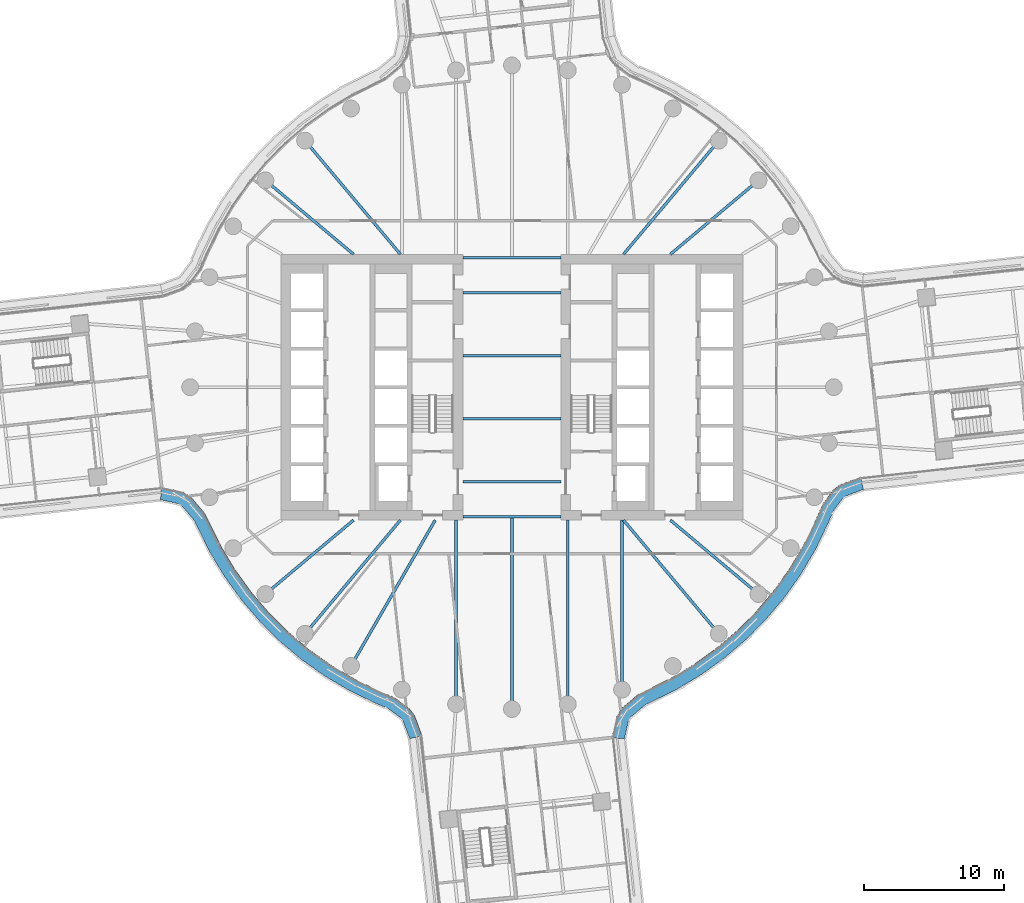
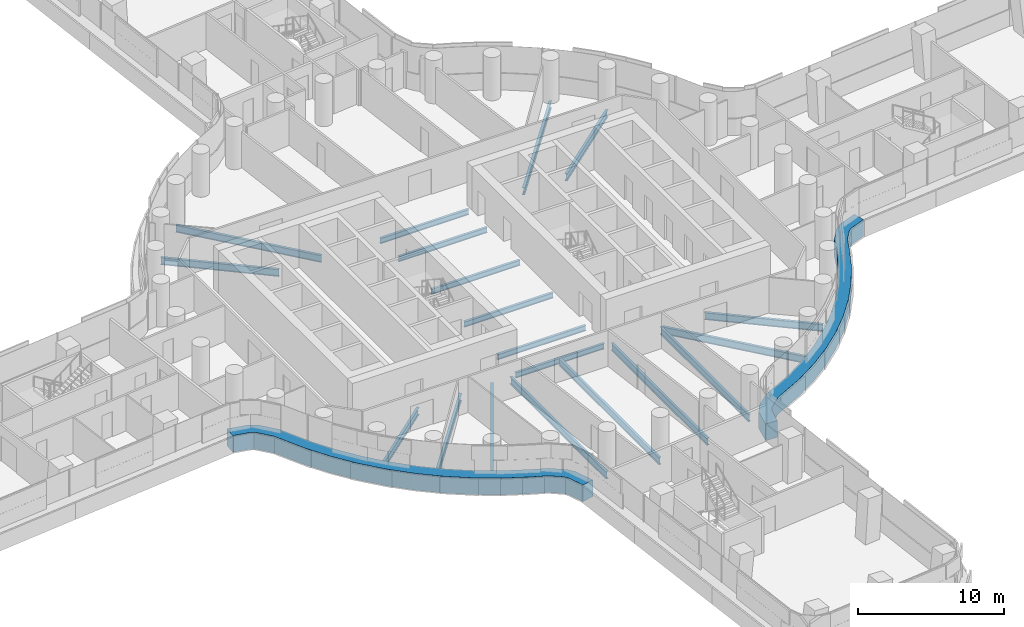
# One storey, part 8 of 31: 19 beams, 2 members, 2 elements without a shape of their own.
"""IFC4 building model written with IfcOpenShell, lengths in metres."""

from ifc_helpers import new_model, si_unit, direction, frame, origin, origin_2d, place, context, subcontext, project, spatial, polyline, i_section, outline, extrude, material, layer, layer_set, material_profile, profile_set, type_object, element, aggregate, save


model = new_model("IFC4")

# Units and contexts
model_context = context("Model", 3, precision=1e-05, world=origin(), true_north=direction((0.0, 1.0)))
body_context = subcontext(model_context, "Body", "Model", "MODEL_VIEW")
ifc_project = project(units=[si_unit("LENGTHUNIT", "METRE"), si_unit("AREAUNIT", "SQUARE_METRE"), si_unit("VOLUMEUNIT", "CUBIC_METRE"), si_unit("PLANEANGLEUNIT", "RADIAN"), si_unit("MASSUNIT", "GRAM", prefix="KILO")], contexts=[model_context])

# Site, building, storey
site_placement = place(None, origin())
site = spatial("IfcSite", under=ifc_project, at=site_placement, CompositionType="ELEMENT")
building_placement = place(site_placement, origin())
building = spatial("IfcBuilding", under=site, at=building_placement, Name="Tamarind Cross Interchange Tower", CompositionType="ELEMENT")
storey_placement = place(building_placement, frame((0.0, 0.0, 56.5)))
storey = spatial("IfcBuildingStorey", under=building, at=storey_placement, Name="L12", CompositionType="ELEMENT", Elevation=56.5)

# Beams
ifc_material_1 = material(Name="Steel Q355B", Category="steel")
ifc_material_profile_1 = material_profile(ifc_material_1, i_section(OverallWidth=0.198974609375, OverallDepth=0.446044921875, WebThickness=0.008056640625, FlangeThickness=0.011962890625, FilletRadius=0.012939453125, at=origin_2d()), Name="HN 446x199x8x12")
ifc_profile_set_1 = profile_set([ifc_material_profile_1], Name="Steel Q355B")
beam_type_1 = type_object("IfcBeamType", Name="Composite beam HN 446x199x8x12 Q355B", PredefinedType="BEAM", material=ifc_profile_set_1)
for number, where, z_axis, x_axis, name in (
    (1, (-3.5, -2.25, -0.363037109375), (1.0, 0.0, 0.0), (0.0, 1.0, 0.0), "Beam G-2.25"),
    (2, (-3.5, -6.75, -0.363037109375), (1.0, 0.0, 0.0), (0.0, 1.0, 0.0), "Beam G-6.75"),
    (3, (-3.5, -9.25, -0.363037109375), (1.0, 0.0, 0.0), (0.0, 1.0, 0.0), "Beam G-9.25"),
    (4, (-3.5, 2.25, -0.363037109375), (1.0, 0.0, 0.0), (0.0, 1.0, 0.0), "Beam G2.25"),
    (5, (-3.5, 6.75, -0.363037109375), (1.0, 0.0, 0.0), (0.0, 1.0, 0.0), "Beam G6.75"),
    (6, (-3.5, 9.25, -0.363037109375), (1.0, 0.0, 0.0), (0.0, 1.0, 0.0), "Beam G9.25"),
):
    element("IfcBeam", number, at=place(storey_placement, frame(where, z_axis=z_axis, x_axis=x_axis)), inside=storey, type_object=beam_type_1, Name=name, PredefinedType="BEAM", context=body_context, shape_type="SweptSolid", body=[
        extrude(i_section(OverallWidth=0.198974609375, OverallDepth=0.446044921875, WebThickness=0.008056640625, FlangeThickness=0.011962890625, FilletRadius=0.012939453125, at=origin_2d()), origin(), (0.0, 0.0, 1.0), 7.0),
    ])
ifc_material_profile_2 = material_profile(ifc_material_1, i_section(OverallWidth=0.198974609375, OverallDepth=0.595947265625, WebThickness=0.010009765625, FlangeThickness=0.014892578125, FilletRadius=0.012939453125, at=origin_2d()), Name="HN 596x199x10x15")
ifc_profile_set_2 = profile_set([ifc_material_profile_2], Name="Steel Q355B")
beam_type_2 = type_object("IfcBeamType", Name="Composite beam HN 596x199x10x15 Q355B", PredefinedType="BEAM", material=ifc_profile_set_2)
beam_1_placement = place(storey_placement, frame((17.619140625, 14.7841796875, -0.43798828125), z_axis=(-0.766040580814, -0.642792212574, 0.0), x_axis=(0.642792212574, -0.766040580814, 0.0)))
element("IfcBeam", 7, at=beam_1_placement, inside=storey, type_object=beam_type_2, Name="Beam HH04", PredefinedType="BEAM", context=body_context, shape_type="SweptSolid", body=[
    extrude(i_section(OverallWidth=0.198974609375, OverallDepth=0.595947265625, WebThickness=0.010009765625, FlangeThickness=0.014892578125, FilletRadius=0.012939453125, at=origin_2d()), origin(), (0.0, 0.0, 1.0), 8.220703125),
])
for number, where, z_axis, x_axis, name in (
    (8, (14.7841796875, 17.619140625, -0.43798828125), (-0.642786293979, -0.766045547127, 0.0), (0.766045547127, -0.642786293979, 0.0), "Beam HH05"),
    (9, (-14.7841796875, 17.619140625, -0.43798828125), (0.642786293979, -0.766045547127, 0.0), (0.766045547127, 0.642786293979, 0.0), "Beam HH13"),
):
    element("IfcBeam", number, at=place(storey_placement, frame(where, z_axis=z_axis, x_axis=x_axis)), inside=storey, type_object=beam_type_2, Name=name, PredefinedType="BEAM", context=body_context, shape_type="SweptSolid", body=[
        extrude(i_section(OverallWidth=0.198974609375, OverallDepth=0.595947265625, WebThickness=0.010009765625, FlangeThickness=0.014892578125, FilletRadius=0.012939453125, at=origin_2d()), origin(), (0.0, 0.0, 1.0), 10.598876953125),
    ])
for number, where, z_axis, x_axis, name in (
    (10, (-17.619140625, 14.7841796875, -0.43798828125), (0.766040580814, -0.642792212574, 0.0), (0.642792212574, 0.766040580814, 0.0), "Beam HH14"),
    (11, (-17.619140625, -14.7841796875, -0.43798828125), (0.766040580814, 0.642792212574, 0.0), (-0.642792212574, 0.766040580814, 0.0), "Beam HH22"),
):
    element("IfcBeam", number, at=place(storey_placement, frame(where, z_axis=z_axis, x_axis=x_axis)), inside=storey, type_object=beam_type_2, Name=name, PredefinedType="BEAM", context=body_context, shape_type="SweptSolid", body=[
        extrude(i_section(OverallWidth=0.198974609375, OverallDepth=0.595947265625, WebThickness=0.010009765625, FlangeThickness=0.014892578125, FilletRadius=0.012939453125, at=origin_2d()), origin(), (0.0, 0.0, 1.0), 8.220703125),
    ])
beam_2_placement = place(storey_placement, frame((-14.7841796875, -17.619140625, -0.43798828125), z_axis=(0.642786293979, 0.766045547127, 0.0), x_axis=(-0.766045547127, 0.642786293979, 0.0)))
element("IfcBeam", 12, at=beam_2_placement, inside=storey, type_object=beam_type_2, Name="Beam HH23", PredefinedType="BEAM", context=body_context, shape_type="SweptSolid", body=[
    extrude(i_section(OverallWidth=0.198974609375, OverallDepth=0.595947265625, WebThickness=0.010009765625, FlangeThickness=0.014892578125, FilletRadius=0.012939453125, at=origin_2d()), origin(), (0.0, 0.0, 1.0), 10.598876953125),
])
beam_3_placement = place(storey_placement, frame((-11.5, -19.918701171875, -0.43798828125), z_axis=(0.499993565836, 0.866029118519, 0.0), x_axis=(-0.866029118519, 0.499993565836, 0.0)))
element("IfcBeam", 13, at=beam_3_placement, inside=storey, type_object=beam_type_2, Name="Beam HH24", PredefinedType="BEAM", context=body_context, shape_type="SweptSolid", body=[
    extrude(i_section(OverallWidth=0.198974609375, OverallDepth=0.595947265625, WebThickness=0.010009765625, FlangeThickness=0.014892578125, FilletRadius=0.012939453125, at=origin_2d()), origin(), (0.0, 0.0, 1.0), 12.030517578125),
])
beam_4_placement = place(storey_placement, frame((-3.993896484375, -22.650634765625, -0.43798828125), z_axis=(0.0, 1.0, 0.0), x_axis=(-1.0, 0.0, 0.0)))
element("IfcBeam", 14, at=beam_4_placement, inside=storey, type_object=beam_type_2, Name="Beam HH26", PredefinedType="BEAM", context=body_context, shape_type="SweptSolid", body=[
    extrude(i_section(OverallWidth=0.198974609375, OverallDepth=0.595947265625, WebThickness=0.010009765625, FlangeThickness=0.014892578125, FilletRadius=0.012939453125, at=origin_2d()), origin(), (0.0, 0.0, 1.0), 13.150634765625),
])
beam_5_placement = place(storey_placement, frame((0.0, -23.0, -0.43798828125), z_axis=(0.0, 1.0, 0.0), x_axis=(-1.0, 0.0, 0.0)))
element("IfcBeam", 15, at=beam_5_placement, inside=storey, type_object=beam_type_2, Name="Beam HH27", PredefinedType="BEAM", context=body_context, shape_type="SweptSolid", body=[
    extrude(i_section(OverallWidth=0.198974609375, OverallDepth=0.595947265625, WebThickness=0.010009765625, FlangeThickness=0.014892578125, FilletRadius=0.012939453125, at=origin_2d()), origin(), (0.0, 0.0, 1.0), 13.75),
])
beam_6_placement = place(storey_placement, frame((3.993896484375, -22.650634765625, -0.43798828125), z_axis=(0.0, 1.0, 0.0), x_axis=(-1.0, 0.0, 0.0)))
element("IfcBeam", 16, at=beam_6_placement, inside=storey, type_object=beam_type_2, Name="Beam HH28", PredefinedType="BEAM", context=body_context, shape_type="SweptSolid", body=[
    extrude(i_section(OverallWidth=0.198974609375, OverallDepth=0.595947265625, WebThickness=0.010009765625, FlangeThickness=0.014892578125, FilletRadius=0.012939453125, at=origin_2d()), origin(), (0.0, 0.0, 1.0), 13.150634765625),
])
beam_7_placement = place(storey_placement, frame((7.866455078125, -21.613037109375, -0.43798828125), z_axis=(0.0, 1.0, 0.0), x_axis=(-1.0, 0.0, 0.0)))
element("IfcBeam", 17, at=beam_7_placement, inside=storey, type_object=beam_type_2, Name="Beam HH29", PredefinedType="BEAM", context=body_context, shape_type="SweptSolid", body=[
    extrude(i_section(OverallWidth=0.198974609375, OverallDepth=0.595947265625, WebThickness=0.010009765625, FlangeThickness=0.014892578125, FilletRadius=0.012939453125, at=origin_2d()), origin(), (0.0, 0.0, 1.0), 12.113037109375),
])
beam_8_placement = place(storey_placement, frame((14.7841796875, -17.619140625, -0.43798828125), z_axis=(-0.642786293979, 0.766045547127, 0.0), x_axis=(-0.766045547127, -0.642786293979, 0.0)))
element("IfcBeam", 18, at=beam_8_placement, inside=storey, type_object=beam_type_2, Name="Beam HH31", PredefinedType="BEAM", context=body_context, shape_type="SweptSolid", body=[
    extrude(i_section(OverallWidth=0.198974609375, OverallDepth=0.595947265625, WebThickness=0.010009765625, FlangeThickness=0.014892578125, FilletRadius=0.012939453125, at=origin_2d()), origin(), (0.0, 0.0, 1.0), 10.598876953125),
])
beam_9_placement = place(storey_placement, frame((17.619140625, -14.7841796875, -0.43798828125), z_axis=(-0.766040580814, 0.642792212574, 0.0), x_axis=(-0.642792212574, -0.766040580814, 0.0)))
element("IfcBeam", 19, at=beam_9_placement, inside=storey, type_object=beam_type_2, Name="Beam HH32", PredefinedType="BEAM", context=body_context, shape_type="SweptSolid", body=[
    extrude(i_section(OverallWidth=0.198974609375, OverallDepth=0.595947265625, WebThickness=0.010009765625, FlangeThickness=0.014892578125, FilletRadius=0.012939453125, at=origin_2d()), origin(), (0.0, 0.0, 1.0), 8.220703125),
])

# Curtain wall, member
ifc_material_2 = material(Name="Aluminium 6063-T6", Category="aluminium")
ifc_layer = layer(ifc_material_2, 0.159912109375)
ifc_layer_set = layer_set([ifc_layer], Name="Aluminium 6063-T6")
curtain_wall_type = type_object("IfcCurtainWallType", Name="Office curtain wall, 9.0 m bays", PredefinedType="NOTDEFINED", material=ifc_layer_set)
curtain_wall_1_placement = place(storey_placement, origin())
curtain_wall_1 = element("IfcCurtainWall", 20, at=curtain_wall_1_placement, inside=storey, type_object=curtain_wall_type, Name="CWS-L12-10", PredefinedType="NOTDEFINED")
ifc_material_3 = material(Name="Aluminium and insulated spandrel panel", Category="aluminium")
member_type = type_object("IfcMemberType", Name="Floor-edge blade transom", PredefinedType="USERDEFINED", material=ifc_material_3)
member_1_placement = place(storey_placement, origin())
member_1 = element("IfcMember", 21, at=member_1_placement, type_object=member_type, Name="CWT-L12-10", ObjectType="TRANSOM", PredefinedType="USERDEFINED", context=body_context, shape_type="SweptSolid", body=[
    extrude(outline(polyline([(-25.061279296875, -7.129638671875), (-23.565185546875, -7.46044921875), (-22.94580078125, -7.835693359375), (-21.968994140625, -8.99755859375), (-21.664794921875, -9.599365234375), (-20.791015625, -11.367431640625), (-19.78125, -13.045654296875), (-18.636474609375, -14.634521484375), (-17.3642578125, -16.12353515625), (-15.973388671875, -17.50244140625), (-14.4736328125, -18.76171875), (-12.874755859375, -19.892822265625), (-11.188232421875, -20.88818359375), (-9.419921875, -21.7431640625), (-8.36083984375, -22.19677734375), (-7.3369140625, -22.966064453125), (-6.96337890625, -23.453125), (-6.420654296875, -24.9091796875), (-7.30322265625, -25.11865234375), (-7.759765625, -23.893798828125), (-7.976318359375, -23.611572265625), (-8.81494140625, -22.9814453125), (-9.793212890625, -22.562255859375), (-11.613525390625, -21.68212890625), (-13.3642578125, -20.64892578125), (-15.023681640625, -19.474853515625), (-16.580810546875, -18.167724609375), (-18.0244140625, -16.736572265625), (-19.344970703125, -15.19091796875), (-20.533203125, -13.54150390625), (-21.581298828125, -11.799560546875), (-22.469970703125, -10.001708984375), (-22.72509765625, -9.496826171875), (-23.539306640625, -8.528564453125), (-23.904541015625, -8.30712890625), (-25.111572265625, -8.040283203125), (-25.061279296875, -7.129638671875)])), origin(), (0.0, 0.0, 1.0), 1.39990234375),
])
aggregate(curtain_wall_1, [member_1])

curtain_wall_2_placement = place(storey_placement, origin())
curtain_wall_2 = element("IfcCurtainWall", 22, at=curtain_wall_2_placement, inside=storey, type_object=curtain_wall_type, Name="CWS-L12-14", PredefinedType="NOTDEFINED")
member_2_placement = place(storey_placement, origin())
member_2 = element("IfcMember", 23, at=member_2_placement, type_object=member_type, Name="CWT-L12-14", ObjectType="TRANSOM", PredefinedType="USERDEFINED", context=body_context, shape_type="SweptSolid", body=[
    extrude(outline(polyline([(7.129638671875, -25.061279296875), (7.46044921875, -23.565185546875), (7.835693359375, -22.94580078125), (8.99755859375, -21.968994140625), (9.599365234375, -21.664794921875), (11.367431640625, -20.791015625), (13.045654296875, -19.78125), (14.634521484375, -18.636474609375), (16.12353515625, -17.3642578125), (17.50244140625, -15.973388671875), (18.76171875, -14.4736328125), (19.892822265625, -12.874755859375), (20.88818359375, -11.188232421875), (21.7431640625, -9.419921875), (22.19677734375, -8.36083984375), (22.966064453125, -7.3369140625), (23.453125, -6.96337890625), (24.9091796875, -6.420654296875), (25.11865234375, -7.30322265625), (23.893798828125, -7.759765625), (23.611572265625, -7.976318359375), (22.9814453125, -8.81494140625), (22.562255859375, -9.793212890625), (21.68212890625, -11.613525390625), (20.64892578125, -13.3642578125), (19.474853515625, -15.023681640625), (18.167724609375, -16.580810546875), (16.736572265625, -18.0244140625), (15.19091796875, -19.344970703125), (13.54150390625, -20.533203125), (11.799560546875, -21.581298828125), (10.001708984375, -22.469970703125), (9.496826171875, -22.72509765625), (8.528564453125, -23.539306640625), (8.30712890625, -23.904541015625), (8.040283203125, -25.111572265625), (7.129638671875, -25.061279296875)])), origin(), (0.0, 0.0, 1.0), 1.39990234375),
])
aggregate(curtain_wall_2, [member_2])

save(model, "model.ifc")
